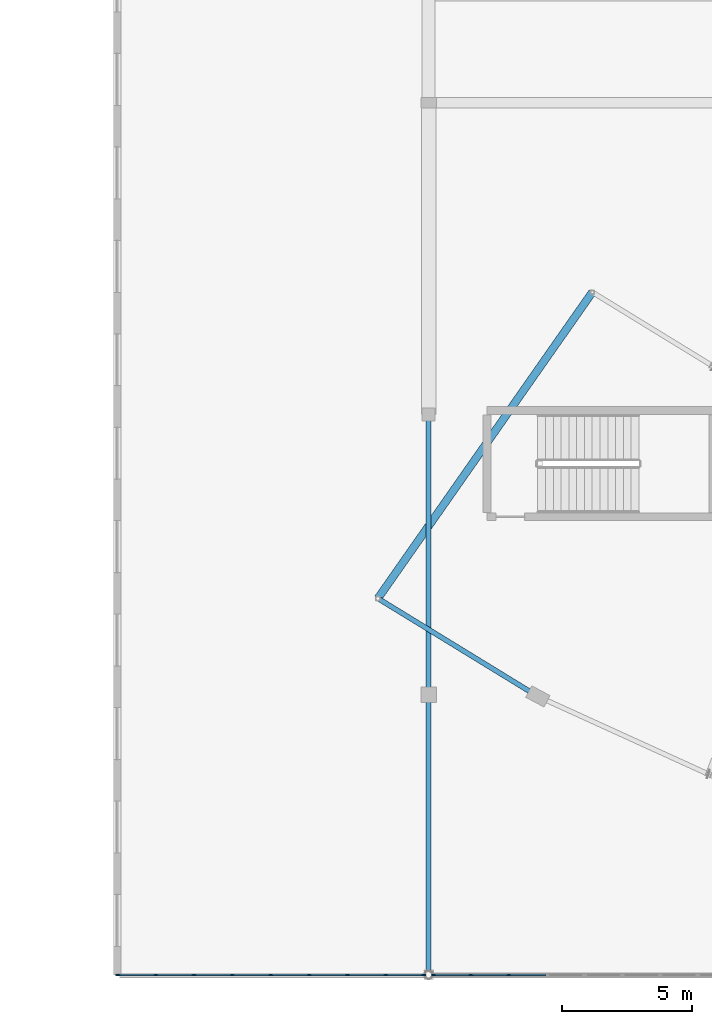
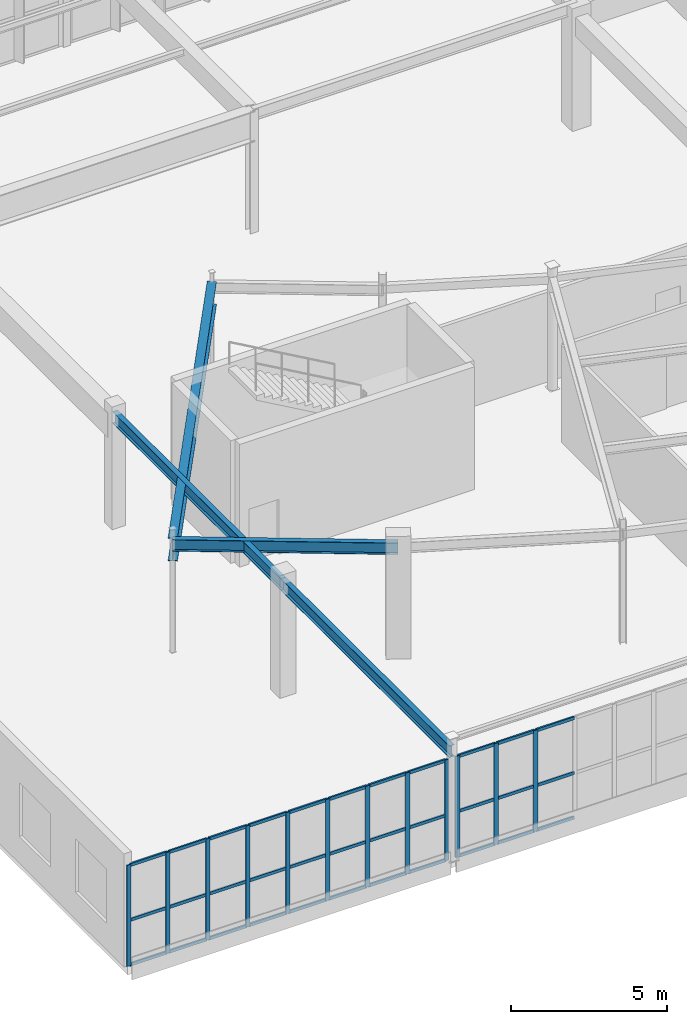
# One storey, part 55 of 186: 45 members, 4 beams, 2 elements without a shape of their own.
"""IFC4 building model written with IfcOpenShell, lengths in metres."""

from ifc_helpers import new_model, si_unit, direction, frame, origin, origin_2d, place, context, subcontext, project, spatial, rectangle, i_section, extrude, material, layer, layer_set, material_profile, profile_set, type_object, element, aggregate, save


model = new_model("IFC4")

# Units and contexts
model_context = context("Model", 3, precision=1e-05, world=origin(), true_north=direction((0.0, 1.0)))
body_context = subcontext(model_context, "Body", "Model", "MODEL_VIEW")
ifc_project = project(units=[si_unit("LENGTHUNIT", "METRE"), si_unit("AREAUNIT", "SQUARE_METRE"), si_unit("VOLUMEUNIT", "CUBIC_METRE"), si_unit("PLANEANGLEUNIT", "RADIAN"), si_unit("MASSUNIT", "GRAM", prefix="KILO")], contexts=[model_context])

# Site, building, storey
site_placement = place(None, origin())
site = spatial("IfcSite", under=ifc_project, at=site_placement, CompositionType="ELEMENT")
building_placement = place(site_placement, origin())
building = spatial("IfcBuilding", under=site, at=building_placement, Name="Tarnwether General Hospital", CompositionType="ELEMENT")
storey_placement = place(building_placement, frame((0.0, 0.0, 9.60009765625)))
storey = spatial("IfcBuildingStorey", under=building, at=storey_placement, Name="L02", CompositionType="ELEMENT", Elevation=9.60009765625)

# Beams
ifc_material_1 = material(Name="Steel Grade 350 (350 MPa)", Category="steel")
ifc_material_profile_1 = material_profile(ifc_material_1, i_section(OverallWidth=0.300048828125, OverallDepth=0.89990234375, WebThickness=0.011962890625, FlangeThickness=0.02001953125, at=origin_2d()), Name="900WB175")
ifc_profile_set_1 = profile_set([ifc_material_profile_1], Name="Steel Grade 350 (350 MPa)")
beam_type_1 = type_object("IfcBeamType", Name="BM-G01", PredefinedType="BEAM", material=ifc_profile_set_1)
beam_1_placement = place(storey_placement, frame((58.0439453125, 14.506103515625, 3.97998046875), z_axis=(0.573596601347, 0.819137924237, 0.0), x_axis=(-0.819137924237, 0.573596601347, 0.0)))
element("IfcBeam", 1, at=beam_1_placement, inside=storey, type_object=beam_type_1, Name="Curved Ward SE Radial Girder BMG-L02-5804_1451-6630_2630-2067", PredefinedType="BEAM", context=body_context, shape_type="SweptSolid", body=[
    extrude(i_section(OverallWidth=0.300048828125, OverallDepth=0.89990234375, WebThickness=0.011962890625, FlangeThickness=0.02001953125, at=origin_2d()), origin(), (0.0, 0.0, 1.0), 14.400390625),
])
ifc_material_2 = material(Name="Steel Grade 350 (350 MPa)", Category="steel")
ifc_material_profile_2 = material_profile(ifc_material_2, i_section(OverallWidth=0.18994140625, OverallDepth=0.45703125, WebThickness=0.009033203125, FlangeThickness=0.014404296875, at=origin_2d()), Name="460UB74.6")
ifc_profile_set_2 = profile_set([ifc_material_profile_2], Name="Steel Grade 350 (350 MPa)")
beam_type_2 = type_object("IfcBeamType", Name="BM-G09", PredefinedType="BEAM", material=ifc_profile_set_2)
beam_2_placement = place(storey_placement, frame((60.0, 0.0, 4.201416015625), z_axis=(0.0, 1.0, 0.0), x_axis=(-1.0, 0.0, 0.0)))
element("IfcBeam", 2, at=beam_2_placement, inside=storey, type_object=beam_type_2, Name="Primary Girder BMG-L02-6000_0-6000_1080-1486", PredefinedType="BEAM", context=body_context, shape_type="SweptSolid", body=[
    extrude(i_section(OverallWidth=0.18994140625, OverallDepth=0.45703125, WebThickness=0.009033203125, FlangeThickness=0.014404296875, at=origin_2d()), origin(), (0.0, 0.0, 1.0), 10.800048828125),
])
ifc_material_3 = material(Name="Steel Grade 350 (350 MPa)", Category="steel")
ifc_material_profile_3 = material_profile(ifc_material_3, i_section(OverallWidth=0.18994140625, OverallDepth=0.4541015625, WebThickness=0.008544921875, FlangeThickness=0.0126953125, at=origin_2d()), Name="460UB67.1")
ifc_profile_set_3 = profile_set([ifc_material_profile_3], Name="Steel Grade 350 (350 MPa)")
beam_type_3 = type_object("IfcBeamType", Name="BM-G10", PredefinedType="BEAM", material=ifc_profile_set_3)
beam_3_placement = place(storey_placement, frame((60.0, 10.800048828125, 4.202880859375), z_axis=(0.0, 1.0, 0.0), x_axis=(-1.0, 0.0, 0.0)))
element("IfcBeam", 3, at=beam_3_placement, inside=storey, type_object=beam_type_3, Name="Primary Girder BMG-L02-6000_1080-6000_2160-1487", PredefinedType="BEAM", context=body_context, shape_type="SweptSolid", body=[
    extrude(i_section(OverallWidth=0.18994140625, OverallDepth=0.4541015625, WebThickness=0.008544921875, FlangeThickness=0.0126953125, at=origin_2d()), origin(), (0.0, 0.0, 1.0), 10.800048828125),
])
ifc_material_4 = material(Name="Steel Grade 350 (350 MPa)", Category="steel")
ifc_material_profile_4 = material_profile(ifc_material_4, i_section(OverallWidth=0.18994140625, OverallDepth=0.4541015625, WebThickness=0.008544921875, FlangeThickness=0.0126953125, at=origin_2d()), Name="460UB67.1")
ifc_profile_set_4 = profile_set([ifc_material_profile_4], Name="Steel Grade 350 (350 MPa)")
beam_type_4 = type_object("IfcBeamType", Name="BM-SP1", PredefinedType="SPANDREL", material=ifc_profile_set_4)
beam_4_placement = place(storey_placement, frame((58.0439453125, 14.506103515625, 4.202880859375), z_axis=(0.852678430503, -0.522436114902, 0.0), x_axis=(0.522436114902, 0.852678430503, 0.0)))
element("IfcBeam", 4, at=beam_4_placement, inside=storey, type_object=beam_type_4, Name="Curved Ward SE Outer Spandrel BMG-L02-5804_1451-6421_1073-2074", PredefinedType="SPANDREL", context=body_context, shape_type="SweptSolid", body=[
    extrude(i_section(OverallWidth=0.18994140625, OverallDepth=0.4541015625, WebThickness=0.008544921875, FlangeThickness=0.0126953125, at=origin_2d()), origin(), (0.0, 0.0, 1.0), 7.22802734375),
])

# Curtain wall, members
ifc_material_5 = material(Name="Anodised aluminium", Category="aluminium")
ifc_layer = layer(ifc_material_5, 0.159912109375)
ifc_layer_set = layer_set([ifc_layer], Name="Anodised aluminium")
curtain_wall_type = type_object("IfcCurtainWallType", Name="CW-13", PredefinedType="NOTDEFINED", material=ifc_layer_set)
curtain_wall_1_placement = place(storey_placement, origin())
curtain_wall_1 = element("IfcCurtainWall", 5, at=curtain_wall_1_placement, inside=storey, type_object=curtain_wall_type, Name="Curtain Wall CWG-L02-718_0-0414", PredefinedType="NOTDEFINED")
ifc_material_6 = material(Name="Anodised aluminium", Category="aluminium")
ifc_material_profile_5 = material_profile(ifc_material_6, rectangle(XDim=0.06005859375, YDim=0.159912109375, at=origin_2d()), Name="ALU-MUL-60x160")
ifc_profile_set_5 = profile_set([ifc_material_profile_5], Name="Anodised aluminium")
member_type_1 = type_object("IfcMemberType", Name="CW-ML1", PredefinedType="MULLION", material=ifc_profile_set_5)
member_1_placement = place(storey_placement, frame((63.0849609375, 0.0, 0.0), z_axis=(0.0, 0.0, 1.0), x_axis=(0.0, -1.0, 0.0)))
member_1 = element("IfcMember", 6, at=member_1_placement, type_object=member_type_1, Name="CW-13 mullion 7", PredefinedType="MULLION", context=body_context, shape_type="SweptSolid", body=[
    extrude(rectangle(XDim=0.06005859375, YDim=0.159912109375, at=origin_2d()), origin(), (0.0, 0.0, 1.0), 3.9580078125),
])
member_2_placement = place(storey_placement, frame((61.62744140625, 0.0, 0.0), z_axis=(0.0, 0.0, 1.0), x_axis=(0.0, -1.0, 0.0)))
member_2 = element("IfcMember", 7, at=member_2_placement, type_object=member_type_1, Name="CW-13 mullion 8", PredefinedType="MULLION", context=body_context, shape_type="SweptSolid", body=[
    extrude(rectangle(XDim=0.06005859375, YDim=0.159912109375, at=origin_2d()), origin(), (0.0, 0.0, 1.0), 3.9580078125),
])
member_3_placement = place(storey_placement, frame((60.199951171875, 0.0, 0.0), z_axis=(0.0, 0.0, 1.0), x_axis=(0.0, -1.0, 0.0)))
member_3 = element("IfcMember", 8, at=member_3_placement, type_object=member_type_1, Name="CW-13 mullion 9", PredefinedType="MULLION", context=body_context, shape_type="SweptSolid", body=[
    extrude(rectangle(XDim=0.06005859375, YDim=0.159912109375, at=origin_2d()), origin(), (0.0, 0.0, 1.0), 3.9580078125),
])

curtain_wall_2_placement = place(storey_placement, origin())
curtain_wall_2 = element("IfcCurtainWall", 9, at=curtain_wall_2_placement, inside=storey, type_object=curtain_wall_type, Name="Curtain Wall CWG-L02-598_0-0415", PredefinedType="NOTDEFINED")
member_4_placement = place(storey_placement, frame((59.800048828125, 0.0, 0.0), z_axis=(0.0, 0.0, 1.0), x_axis=(0.0, -1.0, 0.0)))
member_4 = element("IfcMember", 10, at=member_4_placement, type_object=member_type_1, Name="CW-13 mullion 1", PredefinedType="MULLION", context=body_context, shape_type="SweptSolid", body=[
    extrude(rectangle(XDim=0.06005859375, YDim=0.159912109375, at=origin_2d()), origin(), (0.0, 0.0, 1.0), 3.9580078125),
])
member_5_placement = place(storey_placement, frame((58.351318359375, 0.0, 0.0), z_axis=(0.0, 0.0, 1.0), x_axis=(0.0, -1.0, 0.0)))
member_5 = element("IfcMember", 11, at=member_5_placement, type_object=member_type_1, Name="CW-13 mullion 2", PredefinedType="MULLION", context=body_context, shape_type="SweptSolid", body=[
    extrude(rectangle(XDim=0.06005859375, YDim=0.159912109375, at=origin_2d()), origin(), (0.0, 0.0, 1.0), 3.9580078125),
])
member_6_placement = place(storey_placement, frame((56.87255859375, 0.0, 0.0), z_axis=(0.0, 0.0, 1.0), x_axis=(0.0, -1.0, 0.0)))
member_6 = element("IfcMember", 12, at=member_6_placement, type_object=member_type_1, Name="CW-13 mullion 3", PredefinedType="MULLION", context=body_context, shape_type="SweptSolid", body=[
    extrude(rectangle(XDim=0.06005859375, YDim=0.159912109375, at=origin_2d()), origin(), (0.0, 0.0, 1.0), 3.9580078125),
])
member_7_placement = place(storey_placement, frame((55.393798828125, 0.0, 0.0), z_axis=(0.0, 0.0, 1.0), x_axis=(0.0, -1.0, 0.0)))
member_7 = element("IfcMember", 13, at=member_7_placement, type_object=member_type_1, Name="CW-13 mullion 4", PredefinedType="MULLION", context=body_context, shape_type="SweptSolid", body=[
    extrude(rectangle(XDim=0.06005859375, YDim=0.159912109375, at=origin_2d()), origin(), (0.0, 0.0, 1.0), 3.9580078125),
])
member_8_placement = place(storey_placement, frame((53.9150390625, 0.0, 0.0), z_axis=(0.0, 0.0, 1.0), x_axis=(0.0, -1.0, 0.0)))
member_8 = element("IfcMember", 14, at=member_8_placement, type_object=member_type_1, Name="CW-13 mullion 5", PredefinedType="MULLION", context=body_context, shape_type="SweptSolid", body=[
    extrude(rectangle(XDim=0.06005859375, YDim=0.159912109375, at=origin_2d()), origin(), (0.0, 0.0, 1.0), 3.9580078125),
])
member_9_placement = place(storey_placement, frame((52.436279296875, 0.0, 0.0), z_axis=(0.0, 0.0, 1.0), x_axis=(0.0, -1.0, 0.0)))
member_9 = element("IfcMember", 15, at=member_9_placement, type_object=member_type_1, Name="CW-13 mullion 6", PredefinedType="MULLION", context=body_context, shape_type="SweptSolid", body=[
    extrude(rectangle(XDim=0.06005859375, YDim=0.159912109375, at=origin_2d()), origin(), (0.0, 0.0, 1.0), 3.9580078125),
])
member_10_placement = place(storey_placement, frame((50.95751953125, 0.0, 0.0), z_axis=(0.0, 0.0, 1.0), x_axis=(0.0, -1.0, 0.0)))
member_10 = element("IfcMember", 16, at=member_10_placement, type_object=member_type_1, Name="CW-13 mullion 7", PredefinedType="MULLION", context=body_context, shape_type="SweptSolid", body=[
    extrude(rectangle(XDim=0.06005859375, YDim=0.159912109375, at=origin_2d()), origin(), (0.0, 0.0, 1.0), 3.9580078125),
])
member_11_placement = place(storey_placement, frame((49.478759765625, 0.0, 0.0), z_axis=(0.0, 0.0, 1.0), x_axis=(0.0, -1.0, 0.0)))
member_11 = element("IfcMember", 17, at=member_11_placement, type_object=member_type_1, Name="CW-13 mullion 8", PredefinedType="MULLION", context=body_context, shape_type="SweptSolid", body=[
    extrude(rectangle(XDim=0.06005859375, YDim=0.159912109375, at=origin_2d()), origin(), (0.0, 0.0, 1.0), 3.9580078125),
])
member_12_placement = place(storey_placement, frame((48.030029296875, 0.0, 0.0), z_axis=(0.0, 0.0, 1.0), x_axis=(0.0, -1.0, 0.0)))
member_12 = element("IfcMember", 18, at=member_12_placement, type_object=member_type_1, Name="CW-13 mullion 9", PredefinedType="MULLION", context=body_context, shape_type="SweptSolid", body=[
    extrude(rectangle(XDim=0.06005859375, YDim=0.159912109375, at=origin_2d()), origin(), (0.0, 0.0, 1.0), 3.9580078125),
])

# Member
ifc_material_7 = material(Name="Anodised aluminium", Category="aluminium")
ifc_material_profile_6 = material_profile(ifc_material_7, rectangle(XDim=0.06005859375, YDim=0.1201171875, at=origin_2d()), Name="ALU-TRN-60x120")
ifc_profile_set_6 = profile_set([ifc_material_profile_6], Name="Anodised aluminium")
member_type_2 = type_object("IfcMemberType", Name="CW-TR1", PredefinedType="USERDEFINED", material=ifc_profile_set_6)
member_13_placement = place(storey_placement, frame((64.512451171875, 0.0, 0.02978515625), z_axis=(-1.0, 0.0, 0.0), x_axis=(0.0, -1.0, 0.0)))
member_13 = element("IfcMember", 19, at=member_13_placement, type_object=member_type_2, Name="CW-13 transom 6.1", ObjectType="TRANSOM", PredefinedType="USERDEFINED", context=body_context, shape_type="SweptSolid", body=[
    extrude(rectangle(XDim=0.06005859375, YDim=0.1201171875, at=origin_2d()), origin(), (0.0, 0.0, 1.0), 1.3974609375),
])

member_14_placement = place(storey_placement, frame((64.512451171875, 0.0, 1.781005859375), z_axis=(-1.0, 0.0, 0.0), x_axis=(0.0, -1.0, 0.0)))
member_14 = element("IfcMember", 20, at=member_14_placement, type_object=member_type_2, Name="CW-13 transom 6.2", ObjectType="TRANSOM", PredefinedType="USERDEFINED", context=body_context, shape_type="SweptSolid", body=[
    extrude(rectangle(XDim=0.06005859375, YDim=0.1201171875, at=origin_2d()), origin(), (0.0, 0.0, 1.0), 1.3974609375),
])

member_15_placement = place(storey_placement, frame((64.512451171875, 0.0, 3.927978515625), z_axis=(-1.0, 0.0, 0.0), x_axis=(0.0, -1.0, 0.0)))
member_15 = element("IfcMember", 21, at=member_15_placement, type_object=member_type_2, Name="CW-13 transom 6.3", ObjectType="TRANSOM", PredefinedType="USERDEFINED", context=body_context, shape_type="SweptSolid", body=[
    extrude(rectangle(XDim=0.06005859375, YDim=0.1201171875, at=origin_2d()), origin(), (0.0, 0.0, 1.0), 1.3974609375),
])

member_16_placement = place(storey_placement, frame((63.054931640625, 0.0, 0.02978515625), z_axis=(-1.0, 0.0, 0.0), x_axis=(0.0, -1.0, 0.0)))
member_16 = element("IfcMember", 22, at=member_16_placement, type_object=member_type_2, Name="CW-13 transom 7.1", ObjectType="TRANSOM", PredefinedType="USERDEFINED", context=body_context, shape_type="SweptSolid", body=[
    extrude(rectangle(XDim=0.06005859375, YDim=0.1201171875, at=origin_2d()), origin(), (0.0, 0.0, 1.0), 1.3974609375),
])

member_17_placement = place(storey_placement, frame((63.054931640625, 0.0, 1.781005859375), z_axis=(-1.0, 0.0, 0.0), x_axis=(0.0, -1.0, 0.0)))
member_17 = element("IfcMember", 23, at=member_17_placement, type_object=member_type_2, Name="CW-13 transom 7.2", ObjectType="TRANSOM", PredefinedType="USERDEFINED", context=body_context, shape_type="SweptSolid", body=[
    extrude(rectangle(XDim=0.06005859375, YDim=0.1201171875, at=origin_2d()), origin(), (0.0, 0.0, 1.0), 1.3974609375),
])

member_18_placement = place(storey_placement, frame((63.054931640625, 0.0, 3.927978515625), z_axis=(-1.0, 0.0, 0.0), x_axis=(0.0, -1.0, 0.0)))
member_18 = element("IfcMember", 24, at=member_18_placement, type_object=member_type_2, Name="CW-13 transom 7.3", ObjectType="TRANSOM", PredefinedType="USERDEFINED", context=body_context, shape_type="SweptSolid", body=[
    extrude(rectangle(XDim=0.06005859375, YDim=0.1201171875, at=origin_2d()), origin(), (0.0, 0.0, 1.0), 1.3974609375),
])

member_19_placement = place(storey_placement, frame((61.597412109375, 0.0, 0.02978515625), z_axis=(-1.0, 0.0, 0.0), x_axis=(0.0, -1.0, 0.0)))
member_19 = element("IfcMember", 25, at=member_19_placement, type_object=member_type_2, Name="CW-13 transom 8.1", ObjectType="TRANSOM", PredefinedType="USERDEFINED", context=body_context, shape_type="SweptSolid", body=[
    extrude(rectangle(XDim=0.06005859375, YDim=0.1201171875, at=origin_2d()), origin(), (0.0, 0.0, 1.0), 1.367431640625),
])

member_20_placement = place(storey_placement, frame((61.597412109375, 0.0, 1.781005859375), z_axis=(-1.0, 0.0, 0.0), x_axis=(0.0, -1.0, 0.0)))
member_20 = element("IfcMember", 26, at=member_20_placement, type_object=member_type_2, Name="CW-13 transom 8.2", ObjectType="TRANSOM", PredefinedType="USERDEFINED", context=body_context, shape_type="SweptSolid", body=[
    extrude(rectangle(XDim=0.06005859375, YDim=0.1201171875, at=origin_2d()), origin(), (0.0, 0.0, 1.0), 1.367431640625),
])

member_21_placement = place(storey_placement, frame((61.597412109375, 0.0, 3.927978515625), z_axis=(-1.0, 0.0, 0.0), x_axis=(0.0, -1.0, 0.0)))
member_21 = element("IfcMember", 27, at=member_21_placement, type_object=member_type_2, Name="CW-13 transom 8.3", ObjectType="TRANSOM", PredefinedType="USERDEFINED", context=body_context, shape_type="SweptSolid", body=[
    extrude(rectangle(XDim=0.06005859375, YDim=0.1201171875, at=origin_2d()), origin(), (0.0, 0.0, 1.0), 1.367431640625),
])

aggregate(curtain_wall_1, [member_1, member_2, member_3, member_13, member_14, member_15, member_16, member_17, member_18, member_19, member_20, member_21])

member_22_placement = place(storey_placement, frame((59.77001953125, 0.0, 0.02978515625), z_axis=(-1.0, 0.0, 0.0), x_axis=(0.0, -1.0, 0.0)))
member_22 = element("IfcMember", 28, at=member_22_placement, type_object=member_type_2, Name="CW-13 transom 1.1", ObjectType="TRANSOM", PredefinedType="USERDEFINED", context=body_context, shape_type="SweptSolid", body=[
    extrude(rectangle(XDim=0.06005859375, YDim=0.1201171875, at=origin_2d()), origin(), (0.0, 0.0, 1.0), 1.388671875),
])

member_23_placement = place(storey_placement, frame((59.77001953125, 0.0, 1.781005859375), z_axis=(-1.0, 0.0, 0.0), x_axis=(0.0, -1.0, 0.0)))
member_23 = element("IfcMember", 29, at=member_23_placement, type_object=member_type_2, Name="CW-13 transom 1.2", ObjectType="TRANSOM", PredefinedType="USERDEFINED", context=body_context, shape_type="SweptSolid", body=[
    extrude(rectangle(XDim=0.06005859375, YDim=0.1201171875, at=origin_2d()), origin(), (0.0, 0.0, 1.0), 1.388671875),
])

member_24_placement = place(storey_placement, frame((59.77001953125, 0.0, 3.927978515625), z_axis=(-1.0, 0.0, 0.0), x_axis=(0.0, -1.0, 0.0)))
member_24 = element("IfcMember", 30, at=member_24_placement, type_object=member_type_2, Name="CW-13 transom 1.3", ObjectType="TRANSOM", PredefinedType="USERDEFINED", context=body_context, shape_type="SweptSolid", body=[
    extrude(rectangle(XDim=0.06005859375, YDim=0.1201171875, at=origin_2d()), origin(), (0.0, 0.0, 1.0), 1.388671875),
])

member_25_placement = place(storey_placement, frame((58.3212890625, 0.0, 0.02978515625), z_axis=(-1.0, 0.0, 0.0), x_axis=(0.0, -1.0, 0.0)))
member_25 = element("IfcMember", 31, at=member_25_placement, type_object=member_type_2, Name="CW-13 transom 2.1", ObjectType="TRANSOM", PredefinedType="USERDEFINED", context=body_context, shape_type="SweptSolid", body=[
    extrude(rectangle(XDim=0.06005859375, YDim=0.1201171875, at=origin_2d()), origin(), (0.0, 0.0, 1.0), 1.418701171875),
])

member_26_placement = place(storey_placement, frame((58.3212890625, 0.0, 1.781005859375), z_axis=(-1.0, 0.0, 0.0), x_axis=(0.0, -1.0, 0.0)))
member_26 = element("IfcMember", 32, at=member_26_placement, type_object=member_type_2, Name="CW-13 transom 2.2", ObjectType="TRANSOM", PredefinedType="USERDEFINED", context=body_context, shape_type="SweptSolid", body=[
    extrude(rectangle(XDim=0.06005859375, YDim=0.1201171875, at=origin_2d()), origin(), (0.0, 0.0, 1.0), 1.418701171875),
])

member_27_placement = place(storey_placement, frame((58.3212890625, 0.0, 3.927978515625), z_axis=(-1.0, 0.0, 0.0), x_axis=(0.0, -1.0, 0.0)))
member_27 = element("IfcMember", 33, at=member_27_placement, type_object=member_type_2, Name="CW-13 transom 2.3", ObjectType="TRANSOM", PredefinedType="USERDEFINED", context=body_context, shape_type="SweptSolid", body=[
    extrude(rectangle(XDim=0.06005859375, YDim=0.1201171875, at=origin_2d()), origin(), (0.0, 0.0, 1.0), 1.418701171875),
])

member_28_placement = place(storey_placement, frame((56.842529296875, 0.0, 0.02978515625), z_axis=(-1.0, 0.0, 0.0), x_axis=(0.0, -1.0, 0.0)))
member_28 = element("IfcMember", 34, at=member_28_placement, type_object=member_type_2, Name="CW-13 transom 3.1", ObjectType="TRANSOM", PredefinedType="USERDEFINED", context=body_context, shape_type="SweptSolid", body=[
    extrude(rectangle(XDim=0.06005859375, YDim=0.1201171875, at=origin_2d()), origin(), (0.0, 0.0, 1.0), 1.418701171875),
])

member_29_placement = place(storey_placement, frame((56.842529296875, 0.0, 1.781005859375), z_axis=(-1.0, 0.0, 0.0), x_axis=(0.0, -1.0, 0.0)))
member_29 = element("IfcMember", 35, at=member_29_placement, type_object=member_type_2, Name="CW-13 transom 3.2", ObjectType="TRANSOM", PredefinedType="USERDEFINED", context=body_context, shape_type="SweptSolid", body=[
    extrude(rectangle(XDim=0.06005859375, YDim=0.1201171875, at=origin_2d()), origin(), (0.0, 0.0, 1.0), 1.418701171875),
])

member_30_placement = place(storey_placement, frame((56.842529296875, 0.0, 3.927978515625), z_axis=(-1.0, 0.0, 0.0), x_axis=(0.0, -1.0, 0.0)))
member_30 = element("IfcMember", 36, at=member_30_placement, type_object=member_type_2, Name="CW-13 transom 3.3", ObjectType="TRANSOM", PredefinedType="USERDEFINED", context=body_context, shape_type="SweptSolid", body=[
    extrude(rectangle(XDim=0.06005859375, YDim=0.1201171875, at=origin_2d()), origin(), (0.0, 0.0, 1.0), 1.418701171875),
])

member_31_placement = place(storey_placement, frame((55.36376953125, 0.0, 0.02978515625), z_axis=(-1.0, 0.0, 0.0), x_axis=(0.0, -1.0, 0.0)))
member_31 = element("IfcMember", 37, at=member_31_placement, type_object=member_type_2, Name="CW-13 transom 4.1", ObjectType="TRANSOM", PredefinedType="USERDEFINED", context=body_context, shape_type="SweptSolid", body=[
    extrude(rectangle(XDim=0.06005859375, YDim=0.1201171875, at=origin_2d()), origin(), (0.0, 0.0, 1.0), 1.418701171875),
])

member_32_placement = place(storey_placement, frame((55.36376953125, 0.0, 1.781005859375), z_axis=(-1.0, 0.0, 0.0), x_axis=(0.0, -1.0, 0.0)))
member_32 = element("IfcMember", 38, at=member_32_placement, type_object=member_type_2, Name="CW-13 transom 4.2", ObjectType="TRANSOM", PredefinedType="USERDEFINED", context=body_context, shape_type="SweptSolid", body=[
    extrude(rectangle(XDim=0.06005859375, YDim=0.1201171875, at=origin_2d()), origin(), (0.0, 0.0, 1.0), 1.418701171875),
])

member_33_placement = place(storey_placement, frame((55.36376953125, 0.0, 3.927978515625), z_axis=(-1.0, 0.0, 0.0), x_axis=(0.0, -1.0, 0.0)))
member_33 = element("IfcMember", 39, at=member_33_placement, type_object=member_type_2, Name="CW-13 transom 4.3", ObjectType="TRANSOM", PredefinedType="USERDEFINED", context=body_context, shape_type="SweptSolid", body=[
    extrude(rectangle(XDim=0.06005859375, YDim=0.1201171875, at=origin_2d()), origin(), (0.0, 0.0, 1.0), 1.418701171875),
])

member_34_placement = place(storey_placement, frame((53.885009765625, 0.0, 0.02978515625), z_axis=(-1.0, 0.0, 0.0), x_axis=(0.0, -1.0, 0.0)))
member_34 = element("IfcMember", 40, at=member_34_placement, type_object=member_type_2, Name="CW-13 transom 5.1", ObjectType="TRANSOM", PredefinedType="USERDEFINED", context=body_context, shape_type="SweptSolid", body=[
    extrude(rectangle(XDim=0.06005859375, YDim=0.1201171875, at=origin_2d()), origin(), (0.0, 0.0, 1.0), 1.418701171875),
])

member_35_placement = place(storey_placement, frame((53.885009765625, 0.0, 1.781005859375), z_axis=(-1.0, 0.0, 0.0), x_axis=(0.0, -1.0, 0.0)))
member_35 = element("IfcMember", 41, at=member_35_placement, type_object=member_type_2, Name="CW-13 transom 5.2", ObjectType="TRANSOM", PredefinedType="USERDEFINED", context=body_context, shape_type="SweptSolid", body=[
    extrude(rectangle(XDim=0.06005859375, YDim=0.1201171875, at=origin_2d()), origin(), (0.0, 0.0, 1.0), 1.418701171875),
])

member_36_placement = place(storey_placement, frame((53.885009765625, 0.0, 3.927978515625), z_axis=(-1.0, 0.0, 0.0), x_axis=(0.0, -1.0, 0.0)))
member_36 = element("IfcMember", 42, at=member_36_placement, type_object=member_type_2, Name="CW-13 transom 5.3", ObjectType="TRANSOM", PredefinedType="USERDEFINED", context=body_context, shape_type="SweptSolid", body=[
    extrude(rectangle(XDim=0.06005859375, YDim=0.1201171875, at=origin_2d()), origin(), (0.0, 0.0, 1.0), 1.418701171875),
])

member_37_placement = place(storey_placement, frame((52.40625, 0.0, 0.02978515625), z_axis=(-1.0, 0.0, 0.0), x_axis=(0.0, -1.0, 0.0)))
member_37 = element("IfcMember", 43, at=member_37_placement, type_object=member_type_2, Name="CW-13 transom 6.1", ObjectType="TRANSOM", PredefinedType="USERDEFINED", context=body_context, shape_type="SweptSolid", body=[
    extrude(rectangle(XDim=0.06005859375, YDim=0.1201171875, at=origin_2d()), origin(), (0.0, 0.0, 1.0), 1.418701171875),
])

member_38_placement = place(storey_placement, frame((52.40625, 0.0, 1.781005859375), z_axis=(-1.0, 0.0, 0.0), x_axis=(0.0, -1.0, 0.0)))
member_38 = element("IfcMember", 44, at=member_38_placement, type_object=member_type_2, Name="CW-13 transom 6.2", ObjectType="TRANSOM", PredefinedType="USERDEFINED", context=body_context, shape_type="SweptSolid", body=[
    extrude(rectangle(XDim=0.06005859375, YDim=0.1201171875, at=origin_2d()), origin(), (0.0, 0.0, 1.0), 1.418701171875),
])

member_39_placement = place(storey_placement, frame((52.40625, 0.0, 3.927978515625), z_axis=(-1.0, 0.0, 0.0), x_axis=(0.0, -1.0, 0.0)))
member_39 = element("IfcMember", 45, at=member_39_placement, type_object=member_type_2, Name="CW-13 transom 6.3", ObjectType="TRANSOM", PredefinedType="USERDEFINED", context=body_context, shape_type="SweptSolid", body=[
    extrude(rectangle(XDim=0.06005859375, YDim=0.1201171875, at=origin_2d()), origin(), (0.0, 0.0, 1.0), 1.418701171875),
])

member_40_placement = place(storey_placement, frame((50.927490234375, 0.0, 0.02978515625), z_axis=(-1.0, 0.0, 0.0), x_axis=(0.0, -1.0, 0.0)))
member_40 = element("IfcMember", 46, at=member_40_placement, type_object=member_type_2, Name="CW-13 transom 7.1", ObjectType="TRANSOM", PredefinedType="USERDEFINED", context=body_context, shape_type="SweptSolid", body=[
    extrude(rectangle(XDim=0.06005859375, YDim=0.1201171875, at=origin_2d()), origin(), (0.0, 0.0, 1.0), 1.418701171875),
])

member_41_placement = place(storey_placement, frame((50.927490234375, 0.0, 1.781005859375), z_axis=(-1.0, 0.0, 0.0), x_axis=(0.0, -1.0, 0.0)))
member_41 = element("IfcMember", 47, at=member_41_placement, type_object=member_type_2, Name="CW-13 transom 7.2", ObjectType="TRANSOM", PredefinedType="USERDEFINED", context=body_context, shape_type="SweptSolid", body=[
    extrude(rectangle(XDim=0.06005859375, YDim=0.1201171875, at=origin_2d()), origin(), (0.0, 0.0, 1.0), 1.418701171875),
])

member_42_placement = place(storey_placement, frame((50.927490234375, 0.0, 3.927978515625), z_axis=(-1.0, 0.0, 0.0), x_axis=(0.0, -1.0, 0.0)))
member_42 = element("IfcMember", 48, at=member_42_placement, type_object=member_type_2, Name="CW-13 transom 7.3", ObjectType="TRANSOM", PredefinedType="USERDEFINED", context=body_context, shape_type="SweptSolid", body=[
    extrude(rectangle(XDim=0.06005859375, YDim=0.1201171875, at=origin_2d()), origin(), (0.0, 0.0, 1.0), 1.418701171875),
])

member_43_placement = place(storey_placement, frame((49.44873046875, 0.0, 0.02978515625), z_axis=(-1.0, 0.0, 0.0), x_axis=(0.0, -1.0, 0.0)))
member_43 = element("IfcMember", 49, at=member_43_placement, type_object=member_type_2, Name="CW-13 transom 8.1", ObjectType="TRANSOM", PredefinedType="USERDEFINED", context=body_context, shape_type="SweptSolid", body=[
    extrude(rectangle(XDim=0.06005859375, YDim=0.1201171875, at=origin_2d()), origin(), (0.0, 0.0, 1.0), 1.388671875),
])

member_44_placement = place(storey_placement, frame((49.44873046875, 0.0, 1.781005859375), z_axis=(-1.0, 0.0, 0.0), x_axis=(0.0, -1.0, 0.0)))
member_44 = element("IfcMember", 50, at=member_44_placement, type_object=member_type_2, Name="CW-13 transom 8.2", ObjectType="TRANSOM", PredefinedType="USERDEFINED", context=body_context, shape_type="SweptSolid", body=[
    extrude(rectangle(XDim=0.06005859375, YDim=0.1201171875, at=origin_2d()), origin(), (0.0, 0.0, 1.0), 1.388671875),
])

member_45_placement = place(storey_placement, frame((49.44873046875, 0.0, 3.927978515625), z_axis=(-1.0, 0.0, 0.0), x_axis=(0.0, -1.0, 0.0)))
member_45 = element("IfcMember", 51, at=member_45_placement, type_object=member_type_2, Name="CW-13 transom 8.3", ObjectType="TRANSOM", PredefinedType="USERDEFINED", context=body_context, shape_type="SweptSolid", body=[
    extrude(rectangle(XDim=0.06005859375, YDim=0.1201171875, at=origin_2d()), origin(), (0.0, 0.0, 1.0), 1.388671875),
])

aggregate(curtain_wall_2, [member_4, member_5, member_6, member_7, member_8, member_9, member_10, member_11, member_12, member_22, member_23, member_24, member_25, member_26, member_27, member_28, member_29, member_30, member_31, member_32, member_33, member_34, member_35, member_36, member_37, member_38, member_39, member_40, member_41, member_42, member_43, member_44, member_45])

save(model, "model.ifc")
